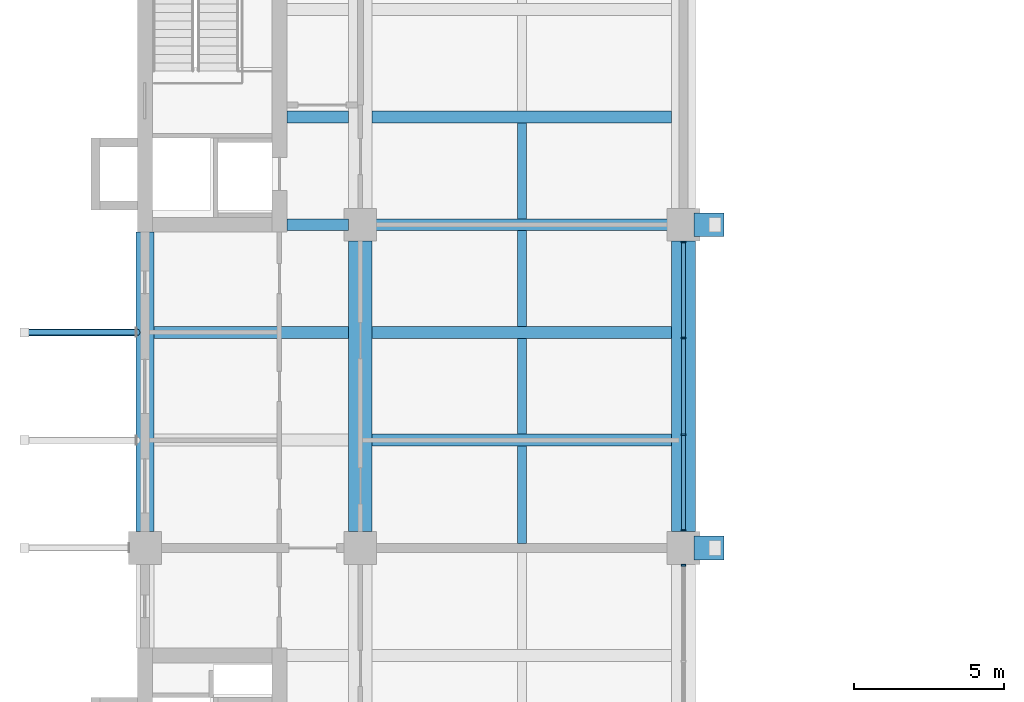
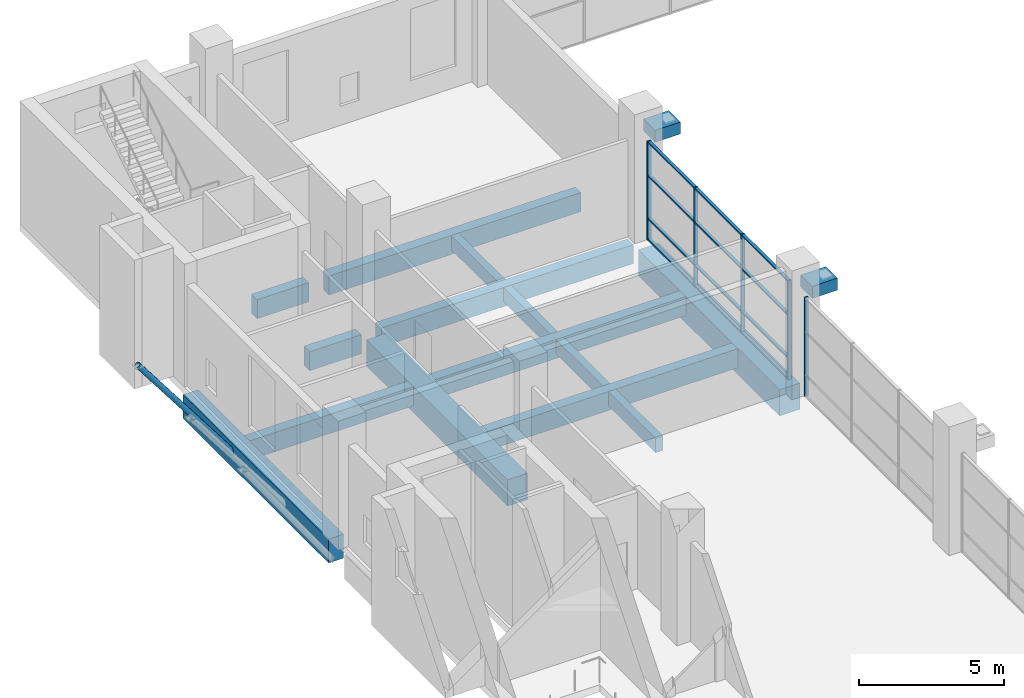
# One storey, part 7 of 38: 18 members, 16 beams, 2 elements without a shape of their own.
"""IFC4 building model written with IfcOpenShell, lengths in metres."""

from ifc_helpers import new_model, si_unit, direction, frame, origin, origin_2d, place, context, subcontext, project, spatial, rectangle, hollow_circle, extrude, material, layer, layer_set, material_profile, profile_set, type_object, element, aggregate, save


model = new_model("IFC4")

# Units and contexts
model_context = context("Model", 3, precision=1e-05, world=origin(), true_north=direction((0.0, 1.0)))
body_context = subcontext(model_context, "Body", "Model", "MODEL_VIEW")
ifc_project = project(units=[si_unit("LENGTHUNIT", "METRE"), si_unit("AREAUNIT", "SQUARE_METRE"), si_unit("VOLUMEUNIT", "CUBIC_METRE"), si_unit("PLANEANGLEUNIT", "RADIAN"), si_unit("MASSUNIT", "GRAM", prefix="KILO")], contexts=[model_context])

# Site, building, storey
site_placement = place(None, origin())
site = spatial("IfcSite", under=ifc_project, at=site_placement, CompositionType="ELEMENT")
building_placement = place(site_placement, origin())
building = spatial("IfcBuilding", under=site, at=building_placement, Name="Basin Gate Institute", CompositionType="ELEMENT")
storey_placement = place(building_placement, frame((0.0, 0.0, 16.800048828125)))
storey = spatial("IfcBuildingStorey", under=building, at=storey_placement, Name="L03", CompositionType="ELEMENT", Elevation=16.800048828125)

# Beams
ifc_material_1 = material(Name="Concrete 40 MPa", Category="concrete")
ifc_material_profile_1 = material_profile(ifc_material_1, rectangle(XDim=0.39990234375, YDim=0.800048828125, at=origin_2d()), Name="Beam B2 400 x 800")
ifc_profile_set_1 = profile_set([ifc_material_profile_1], Name="Concrete 40 MPa")
beam_type_1 = type_object("IfcBeamType", Name="Beam B2 R180", PredefinedType="BEAM", material=ifc_profile_set_1)
for number, where, z_axis, x_axis, name in (
    (1, (68.800048828125, 81.89990234375, -0.699951171875), (1.0, 0.0, 0.0), (0.0, 1.0, 0.0), "BEAM/L03/W/EW/14"),
    (2, (68.800048828125, 85.5, -0.699951171875), (1.0, 0.0, 0.0), (0.0, 1.0, 0.0), "BEAM/L03/W/EW/15"),
):
    element("IfcBeam", number, at=place(storey_placement, frame(where, z_axis=z_axis, x_axis=x_axis)), inside=storey, type_object=beam_type_1, material=ifc_profile_set_1, Name=name, PredefinedType="BEAM", context=body_context, shape_type="SweptSolid", body=[
        extrude(rectangle(XDim=0.39990234375, YDim=0.800048828125, at=origin_2d()), origin(), (0.0, 0.0, 1.0), 10.0),
    ])
beam_1_placement = place(storey_placement, frame((61.5, 85.5, -0.699951171875), z_axis=(1.0, 0.0, 0.0), x_axis=(0.0, 1.0, 0.0)))
element("IfcBeam", 3, at=beam_1_placement, inside=storey, type_object=beam_type_1, material=ifc_profile_set_1, Name="BEAM/L03/W/OUT/15", PredefinedType="BEAM", context=body_context, shape_type="SweptSolid", body=[
    extrude(rectangle(XDim=0.39990234375, YDim=0.800048828125, at=origin_2d()), origin(), (0.0, 0.0, 1.0), 6.5),
])
beam_2_placement = place(storey_placement, frame((68.800048828125, 89.10009765625, -0.699951171875), z_axis=(1.0, 0.0, 0.0), x_axis=(0.0, 1.0, 0.0)))
element("IfcBeam", 4, at=beam_2_placement, inside=storey, type_object=beam_type_1, material=ifc_profile_set_1, Name="BEAM/L03/W/EW/16", PredefinedType="BEAM", context=body_context, shape_type="SweptSolid", body=[
    extrude(rectangle(XDim=0.39990234375, YDim=0.800048828125, at=origin_2d()), origin(), (0.0, 0.0, 1.0), 10.0),
])
beam_3_placement = place(storey_placement, frame((65.949951171875, 89.10009765625, -0.699951171875), z_axis=(1.0, 0.0, 0.0), x_axis=(0.0, 1.0, 0.0)))
element("IfcBeam", 5, at=beam_3_placement, inside=storey, type_object=beam_type_1, material=ifc_profile_set_1, Name="BEAM/L03/W/CORR/16", PredefinedType="BEAM", context=body_context, shape_type="SweptSolid", body=[
    extrude(rectangle(XDim=0.39990234375, YDim=0.800048828125, at=origin_2d()), origin(), (0.0, 0.0, 1.0), 2.050048828125),
])
beam_4_placement = place(storey_placement, frame((68.800048828125, 92.699951171875, -0.699951171875), z_axis=(1.0, 0.0, 0.0), x_axis=(0.0, 1.0, 0.0)))
element("IfcBeam", 6, at=beam_4_placement, inside=storey, type_object=beam_type_1, material=ifc_profile_set_1, Name="BEAM/L03/W/EW/17", PredefinedType="BEAM", context=body_context, shape_type="SweptSolid", body=[
    extrude(rectangle(XDim=0.39990234375, YDim=0.800048828125, at=origin_2d()), origin(), (0.0, 0.0, 1.0), 10.0),
])
beam_5_placement = place(storey_placement, frame((65.949951171875, 92.699951171875, -0.699951171875), z_axis=(1.0, 0.0, 0.0), x_axis=(0.0, 1.0, 0.0)))
element("IfcBeam", 7, at=beam_5_placement, inside=storey, type_object=beam_type_1, material=ifc_profile_set_1, Name="BEAM/L03/W/CORR/17", PredefinedType="BEAM", context=body_context, shape_type="SweptSolid", body=[
    extrude(rectangle(XDim=0.39990234375, YDim=0.800048828125, at=origin_2d()), origin(), (0.0, 0.0, 1.0), 2.050048828125),
])
ifc_material_2 = material(Name="Concrete 40 MPa", Category="concrete")
ifc_material_profile_2 = material_profile(ifc_material_2, rectangle(XDim=0.800048828125, YDim=0.5, at=origin_2d()), Name="Beam CB1 800 x 500")
ifc_profile_set_2 = profile_set([ifc_material_profile_2], Name="Concrete 40 MPa")
beam_type_2 = type_object("IfcBeamType", Name="Beam CB1 R180", PredefinedType="BEAM", material=ifc_profile_set_2)
for number, where, z_axis, x_axis, name in (
    (8, (79.550048828125, 78.300048828125, 4.099853515625), (1.0, 0.0, 0.0), (0.0, 1.0, 0.0), "Atrium shell corbel R180 5W"),
    (9, (79.550048828125, 89.10009765625, 4.099853515625), (1.0, 0.0, 0.0), (0.0, 1.0, 0.0), "Atrium shell corbel R180 6W"),
):
    element("IfcBeam", number, at=place(storey_placement, frame(where, z_axis=z_axis, x_axis=x_axis)), inside=storey, type_object=beam_type_2, material=ifc_profile_set_2, Name=name, PredefinedType="BEAM", context=body_context, shape_type="SweptSolid", body=[
        extrude(rectangle(XDim=0.800048828125, YDim=0.5, at=origin_2d()), origin(), (0.0, 0.0, 1.0), 1.0),
    ])

# Member
ifc_material_3 = material(Name="Structural steel SN490", Category="steel")
ifc_material_profile_3 = material_profile(ifc_material_3, hollow_circle(Radius=0.109619140625, WallThickness=0.008056640625, at=origin_2d()), Name="CHS219x8")
ifc_profile_set_3 = profile_set([ifc_material_profile_3], Name="Structural steel SN490")
member_type_1 = type_object("IfcMemberType", Name="Capsule bracket TD3", PredefinedType="BRACE", material=ifc_profile_set_3)
member_1_placement = place(storey_placement, frame((60.949951171875, 85.5, -0.699951171875), z_axis=(-0.605088195885, 0.0, 0.796158448552), x_axis=(0.0, -1.0, 0.0)))
element("IfcMember", 10, at=member_1_placement, inside=storey, type_object=member_type_1, material=ifc_profile_set_3, Name="Tray bracket W L04 tray 2.3", PredefinedType="BRACE", context=body_context, shape_type="SweptSolid", body=[
    extrude(hollow_circle(Radius=0.109619140625, WallThickness=0.008056640625, at=origin_2d()), origin(), (0.0, 0.0, 1.0), 6.2802734375),
])

# Beams
ifc_material_4 = material(Name="Concrete 50 MPa", Category="concrete")
ifc_material_profile_4 = material_profile(ifc_material_4, rectangle(XDim=0.60009765625, YDim=1.0, at=origin_2d()), Name="Edge beam EB2 600 x 1000")
ifc_profile_set_4 = profile_set([ifc_material_profile_4], Name="Concrete 50 MPa")
beam_type_3 = type_object("IfcBeamType", Name="Edge beam EB2 R180", PredefinedType="SPANDREL", material=ifc_profile_set_4)
beam_6_placement = place(storey_placement, frame((61.199951171875, 78.85009765625, -0.800048828125), z_axis=(0.0, 1.0, 0.0), x_axis=(-1.0, 0.0, 0.0)))
element("IfcBeam", 11, at=beam_6_placement, inside=storey, type_object=beam_type_3, material=ifc_profile_set_4, Name="BEAM/L03/W/EDGE/4", PredefinedType="SPANDREL", context=body_context, shape_type="SweptSolid", body=[
    extrude(rectangle(XDim=0.60009765625, YDim=1.0, at=origin_2d()), origin(), (0.0, 0.0, 1.0), 10.0),
])
ifc_material_5 = material(Name="Concrete 50 MPa", Category="concrete")
ifc_material_profile_5 = material_profile(ifc_material_5, rectangle(XDim=0.800048828125, YDim=1.10009765625, at=origin_2d()), Name="Girder G2 800 x 1100")
ifc_profile_set_5 = profile_set([ifc_material_profile_5], Name="Concrete 50 MPa")
beam_type_4 = type_object("IfcBeamType", Name="Girder G2 R180", PredefinedType="BEAM", material=ifc_profile_set_5)
for number, where, z_axis, x_axis, name in (
    (12, (68.39990234375, 78.85009765625, -0.85009765625), (0.0, 1.0, 0.0), (-1.0, 0.0, 0.0), "GIR/L03/W5/5"),
    (13, (79.199951171875, 78.85009765625, -0.85009765625), (0.0, 1.0, 0.0), (-1.0, 0.0, 0.0), "GIR/L03/W6/5"),
):
    element("IfcBeam", number, at=place(storey_placement, frame(where, z_axis=z_axis, x_axis=x_axis)), inside=storey, type_object=beam_type_4, material=ifc_profile_set_5, Name=name, PredefinedType="BEAM", context=body_context, shape_type="SweptSolid", body=[
        extrude(rectangle(XDim=0.800048828125, YDim=1.10009765625, at=origin_2d()), origin(), (0.0, 0.0, 1.0), 9.699951171875),
    ])

# Curtain wall, member
ifc_material_6 = material(Name="Fire-resistant glazing in steel-free frame", Category="steel")
ifc_layer = layer(ifc_material_6, 0.199951171875)
ifc_layer_set = layer_set([ifc_layer], Name="Fire-resistant glazing in steel-free frame")
curtain_wall_type = type_object("IfcCurtainWallType", Name="Atrium rated curtain wall CW3", PredefinedType="NOTDEFINED", material=ifc_layer_set)
curtain_wall_1_placement = place(storey_placement, origin())
curtain_wall_1 = element("IfcCurtainWall", 14, at=curtain_wall_1_placement, inside=storey, type_object=curtain_wall_type, material=ifc_layer_set, Name="Atrium rated curtain wall W wing atrium bay 4 L03", PredefinedType="NOTDEFINED")
ifc_material_7 = material(Name="Aluminium", Category="aluminium")
ifc_material_profile_6 = material_profile(ifc_material_7, rectangle(XDim=0.14990234375, YDim=0.06005859375, at=origin_2d()), Name="Mullion MU3 150 x 60")
ifc_profile_set_6 = profile_set([ifc_material_profile_6], Name="Aluminium")
member_type_2 = type_object("IfcMemberType", Name="Mullion MU3", PredefinedType="MULLION", material=ifc_profile_set_6)
member_2_placement = place(storey_placement, frame((79.199951171875, 77.719970703125, 0.0), z_axis=(0.0, 0.0, 1.0), x_axis=(-1.0, 0.0, 0.0)))
member_2 = element("IfcMember", 15, at=member_2_placement, type_object=member_type_2, material=ifc_profile_set_6, Name="CW3 mullion 4", PredefinedType="MULLION", context=body_context, shape_type="SweptSolid", body=[
    extrude(rectangle(XDim=0.14990234375, YDim=0.06005859375, at=origin_2d()), origin(), (0.0, 0.0, 1.0), 4.14990234375),
])
aggregate(curtain_wall_1, [member_2])

# Curtain wall, members
curtain_wall_2_placement = place(storey_placement, origin())
curtain_wall_2 = element("IfcCurtainWall", 16, at=curtain_wall_2_placement, inside=storey, type_object=curtain_wall_type, material=ifc_layer_set, Name="Atrium rated curtain wall W wing atrium bay 5 L03", PredefinedType="NOTDEFINED")
member_3_placement = place(storey_placement, frame((79.199951171875, 78.8798828125, 0.0), z_axis=(0.0, 0.0, 1.0), x_axis=(-1.0, 0.0, 0.0)))
member_3 = element("IfcMember", 17, at=member_3_placement, type_object=member_type_2, material=ifc_profile_set_6, Name="CW3 mullion 1", PredefinedType="MULLION", context=body_context, shape_type="SweptSolid", body=[
    extrude(rectangle(XDim=0.14990234375, YDim=0.06005859375, at=origin_2d()), origin(), (0.0, 0.0, 1.0), 4.14990234375),
])
member_4_placement = place(storey_placement, frame((79.199951171875, 82.083251953125, 0.0), z_axis=(0.0, 0.0, 1.0), x_axis=(-1.0, 0.0, 0.0)))
member_4 = element("IfcMember", 18, at=member_4_placement, type_object=member_type_2, material=ifc_profile_set_6, Name="CW3 mullion 2", PredefinedType="MULLION", context=body_context, shape_type="SweptSolid", body=[
    extrude(rectangle(XDim=0.14990234375, YDim=0.06005859375, at=origin_2d()), origin(), (0.0, 0.0, 1.0), 4.14990234375),
])
member_5_placement = place(storey_placement, frame((79.199951171875, 85.316650390625, 0.0), z_axis=(0.0, 0.0, 1.0), x_axis=(-1.0, 0.0, 0.0)))
member_5 = element("IfcMember", 19, at=member_5_placement, type_object=member_type_2, material=ifc_profile_set_6, Name="CW3 mullion 3", PredefinedType="MULLION", context=body_context, shape_type="SweptSolid", body=[
    extrude(rectangle(XDim=0.14990234375, YDim=0.06005859375, at=origin_2d()), origin(), (0.0, 0.0, 1.0), 4.14990234375),
])
member_6_placement = place(storey_placement, frame((79.199951171875, 88.52001953125, 0.0), z_axis=(0.0, 0.0, 1.0), x_axis=(-1.0, 0.0, 0.0)))
member_6 = element("IfcMember", 20, at=member_6_placement, type_object=member_type_2, material=ifc_profile_set_6, Name="CW3 mullion 4", PredefinedType="MULLION", context=body_context, shape_type="SweptSolid", body=[
    extrude(rectangle(XDim=0.14990234375, YDim=0.06005859375, at=origin_2d()), origin(), (0.0, 0.0, 1.0), 4.14990234375),
])

# Beams
ifc_material_8 = material(Name="Concrete 40 MPa", Category="concrete")
ifc_material_profile_7 = material_profile(ifc_material_8, rectangle(XDim=0.300048828125, YDim=0.60009765625, at=origin_2d()), Name="Rib R2 300 x 600")
ifc_profile_set_7 = profile_set([ifc_material_profile_7], Name="Concrete 40 MPa")
beam_type_5 = type_object("IfcBeamType", Name="Rib R2 R180", PredefinedType="JOIST", material=ifc_profile_set_7)
beam_7_placement = place(storey_placement, frame((73.800048828125, 78.449951171875, -0.60009765625), z_axis=(0.0, 1.0, 0.0), x_axis=(-1.0, 0.0, 0.0)))
element("IfcBeam", 21, at=beam_7_placement, inside=storey, type_object=beam_type_5, material=ifc_profile_set_7, Name="BEAM/L03/W/RIB/13", PredefinedType="JOIST", context=body_context, shape_type="SweptSolid", body=[
    extrude(rectangle(XDim=0.300048828125, YDim=0.60009765625, at=origin_2d()), origin(), (0.0, 0.0, 1.0), 3.25),
])
for number, where, z_axis, x_axis, name in (
    (22, (73.800048828125, 82.10009765625, -0.60009765625), (0.0, 1.0, 0.0), (-1.0, 0.0, 0.0), "BEAM/L03/W/RIB/14"),
    (23, (73.800048828125, 85.699951171875, -0.60009765625), (0.0, 1.0, 0.0), (-1.0, 0.0, 0.0), "BEAM/L03/W/RIB/15"),
    (24, (73.800048828125, 89.300048828125, -0.60009765625), (0.0, 1.0, 0.0), (-1.0, 0.0, 0.0), "BEAM/L03/W/RIB/16"),
):
    element("IfcBeam", number, at=place(storey_placement, frame(where, z_axis=z_axis, x_axis=x_axis)), inside=storey, type_object=beam_type_5, material=ifc_profile_set_7, Name=name, PredefinedType="JOIST", context=body_context, shape_type="SweptSolid", body=[
        extrude(rectangle(XDim=0.300048828125, YDim=0.60009765625, at=origin_2d()), origin(), (0.0, 0.0, 1.0), 3.199951171875),
    ])

# Member
ifc_material_9 = material(Name="Aluminium", Category="aluminium")
ifc_material_profile_8 = material_profile(ifc_material_9, rectangle(XDim=0.1201171875, YDim=0.06005859375, at=origin_2d()), Name="Transom TR3 120 x 60")
ifc_profile_set_8 = profile_set([ifc_material_profile_8], Name="Aluminium")
member_type_3 = type_object("IfcMemberType", Name="Transom TR3", PredefinedType="USERDEFINED", material=ifc_profile_set_8)
member_7_placement = place(storey_placement, frame((79.199951171875, 78.909912109375, 0.030029296875), z_axis=(0.0, 1.0, 0.0), x_axis=(-1.0, 0.0, 0.0)))
member_7 = element("IfcMember", 25, at=member_7_placement, type_object=member_type_3, material=ifc_profile_set_8, Name="CW3 transom 1.1", ObjectType="TRANSOM", PredefinedType="USERDEFINED", context=body_context, shape_type="SweptSolid", body=[
    extrude(rectangle(XDim=0.1201171875, YDim=0.06005859375, at=origin_2d()), origin(), (0.0, 0.0, 1.0), 3.143310546875),
])

member_8_placement = place(storey_placement, frame((79.199951171875, 78.909912109375, 0.89990234375), z_axis=(0.0, 1.0, 0.0), x_axis=(-1.0, 0.0, 0.0)))
member_8 = element("IfcMember", 26, at=member_8_placement, type_object=member_type_3, material=ifc_profile_set_8, Name="CW3 transom 1.2", ObjectType="TRANSOM", PredefinedType="USERDEFINED", context=body_context, shape_type="SweptSolid", body=[
    extrude(rectangle(XDim=0.1201171875, YDim=0.06005859375, at=origin_2d()), origin(), (0.0, 0.0, 1.0), 3.143310546875),
])

member_9_placement = place(storey_placement, frame((79.199951171875, 78.909912109375, 2.699951171875), z_axis=(0.0, 1.0, 0.0), x_axis=(-1.0, 0.0, 0.0)))
member_9 = element("IfcMember", 27, at=member_9_placement, type_object=member_type_3, material=ifc_profile_set_8, Name="CW3 transom 1.3", ObjectType="TRANSOM", PredefinedType="USERDEFINED", context=body_context, shape_type="SweptSolid", body=[
    extrude(rectangle(XDim=0.1201171875, YDim=0.06005859375, at=origin_2d()), origin(), (0.0, 0.0, 1.0), 3.143310546875),
])

member_10_placement = place(storey_placement, frame((79.199951171875, 78.909912109375, 4.119873046875), z_axis=(0.0, 1.0, 0.0), x_axis=(-1.0, 0.0, 0.0)))
member_10 = element("IfcMember", 28, at=member_10_placement, type_object=member_type_3, material=ifc_profile_set_8, Name="CW3 transom 1.4", ObjectType="TRANSOM", PredefinedType="USERDEFINED", context=body_context, shape_type="SweptSolid", body=[
    extrude(rectangle(XDim=0.1201171875, YDim=0.06005859375, at=origin_2d()), origin(), (0.0, 0.0, 1.0), 3.143310546875),
])

member_11_placement = place(storey_placement, frame((79.199951171875, 82.11328125, 0.030029296875), z_axis=(0.0, 1.0, 0.0), x_axis=(-1.0, 0.0, 0.0)))
member_11 = element("IfcMember", 29, at=member_11_placement, type_object=member_type_3, material=ifc_profile_set_8, Name="CW3 transom 2.1", ObjectType="TRANSOM", PredefinedType="USERDEFINED", context=body_context, shape_type="SweptSolid", body=[
    extrude(rectangle(XDim=0.1201171875, YDim=0.06005859375, at=origin_2d()), origin(), (0.0, 0.0, 1.0), 3.17333984375),
])

member_12_placement = place(storey_placement, frame((79.199951171875, 82.11328125, 0.89990234375), z_axis=(0.0, 1.0, 0.0), x_axis=(-1.0, 0.0, 0.0)))
member_12 = element("IfcMember", 30, at=member_12_placement, type_object=member_type_3, material=ifc_profile_set_8, Name="CW3 transom 2.2", ObjectType="TRANSOM", PredefinedType="USERDEFINED", context=body_context, shape_type="SweptSolid", body=[
    extrude(rectangle(XDim=0.1201171875, YDim=0.06005859375, at=origin_2d()), origin(), (0.0, 0.0, 1.0), 3.17333984375),
])

member_13_placement = place(storey_placement, frame((79.199951171875, 82.11328125, 2.699951171875), z_axis=(0.0, 1.0, 0.0), x_axis=(-1.0, 0.0, 0.0)))
member_13 = element("IfcMember", 31, at=member_13_placement, type_object=member_type_3, material=ifc_profile_set_8, Name="CW3 transom 2.3", ObjectType="TRANSOM", PredefinedType="USERDEFINED", context=body_context, shape_type="SweptSolid", body=[
    extrude(rectangle(XDim=0.1201171875, YDim=0.06005859375, at=origin_2d()), origin(), (0.0, 0.0, 1.0), 3.17333984375),
])

member_14_placement = place(storey_placement, frame((79.199951171875, 82.11328125, 4.119873046875), z_axis=(0.0, 1.0, 0.0), x_axis=(-1.0, 0.0, 0.0)))
member_14 = element("IfcMember", 32, at=member_14_placement, type_object=member_type_3, material=ifc_profile_set_8, Name="CW3 transom 2.4", ObjectType="TRANSOM", PredefinedType="USERDEFINED", context=body_context, shape_type="SweptSolid", body=[
    extrude(rectangle(XDim=0.1201171875, YDim=0.06005859375, at=origin_2d()), origin(), (0.0, 0.0, 1.0), 3.17333984375),
])

member_15_placement = place(storey_placement, frame((79.199951171875, 85.3466796875, 0.030029296875), z_axis=(0.0, 1.0, 0.0), x_axis=(-1.0, 0.0, 0.0)))
member_15 = element("IfcMember", 33, at=member_15_placement, type_object=member_type_3, material=ifc_profile_set_8, Name="CW3 transom 3.1", ObjectType="TRANSOM", PredefinedType="USERDEFINED", context=body_context, shape_type="SweptSolid", body=[
    extrude(rectangle(XDim=0.1201171875, YDim=0.06005859375, at=origin_2d()), origin(), (0.0, 0.0, 1.0), 3.143310546875),
])

member_16_placement = place(storey_placement, frame((79.199951171875, 85.3466796875, 0.89990234375), z_axis=(0.0, 1.0, 0.0), x_axis=(-1.0, 0.0, 0.0)))
member_16 = element("IfcMember", 34, at=member_16_placement, type_object=member_type_3, material=ifc_profile_set_8, Name="CW3 transom 3.2", ObjectType="TRANSOM", PredefinedType="USERDEFINED", context=body_context, shape_type="SweptSolid", body=[
    extrude(rectangle(XDim=0.1201171875, YDim=0.06005859375, at=origin_2d()), origin(), (0.0, 0.0, 1.0), 3.143310546875),
])

member_17_placement = place(storey_placement, frame((79.199951171875, 85.3466796875, 2.699951171875), z_axis=(0.0, 1.0, 0.0), x_axis=(-1.0, 0.0, 0.0)))
member_17 = element("IfcMember", 35, at=member_17_placement, type_object=member_type_3, material=ifc_profile_set_8, Name="CW3 transom 3.3", ObjectType="TRANSOM", PredefinedType="USERDEFINED", context=body_context, shape_type="SweptSolid", body=[
    extrude(rectangle(XDim=0.1201171875, YDim=0.06005859375, at=origin_2d()), origin(), (0.0, 0.0, 1.0), 3.143310546875),
])

member_18_placement = place(storey_placement, frame((79.199951171875, 85.3466796875, 4.119873046875), z_axis=(0.0, 1.0, 0.0), x_axis=(-1.0, 0.0, 0.0)))
member_18 = element("IfcMember", 36, at=member_18_placement, type_object=member_type_3, material=ifc_profile_set_8, Name="CW3 transom 3.4", ObjectType="TRANSOM", PredefinedType="USERDEFINED", context=body_context, shape_type="SweptSolid", body=[
    extrude(rectangle(XDim=0.1201171875, YDim=0.06005859375, at=origin_2d()), origin(), (0.0, 0.0, 1.0), 3.143310546875),
])

aggregate(curtain_wall_2, [member_3, member_4, member_5, member_6, member_7, member_8, member_9, member_10, member_11, member_12, member_13, member_14, member_15, member_16, member_17, member_18])

save(model, "model.ifc")
